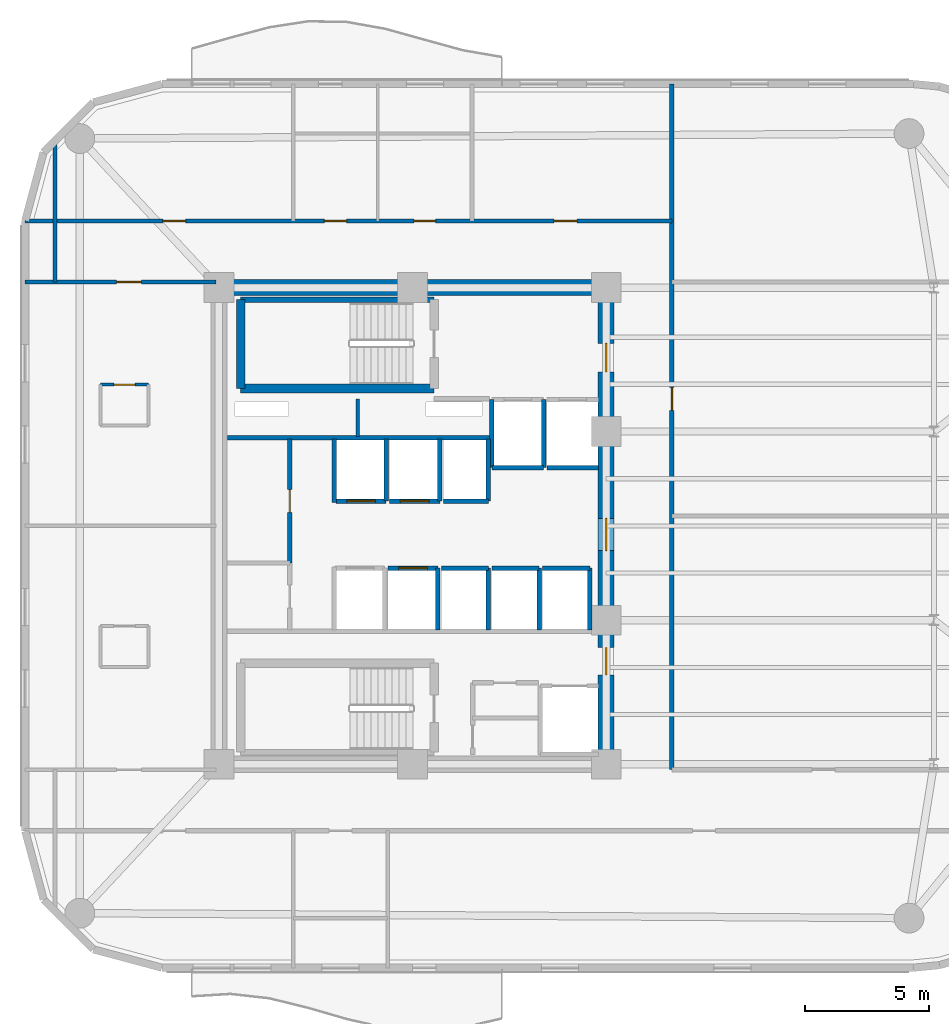
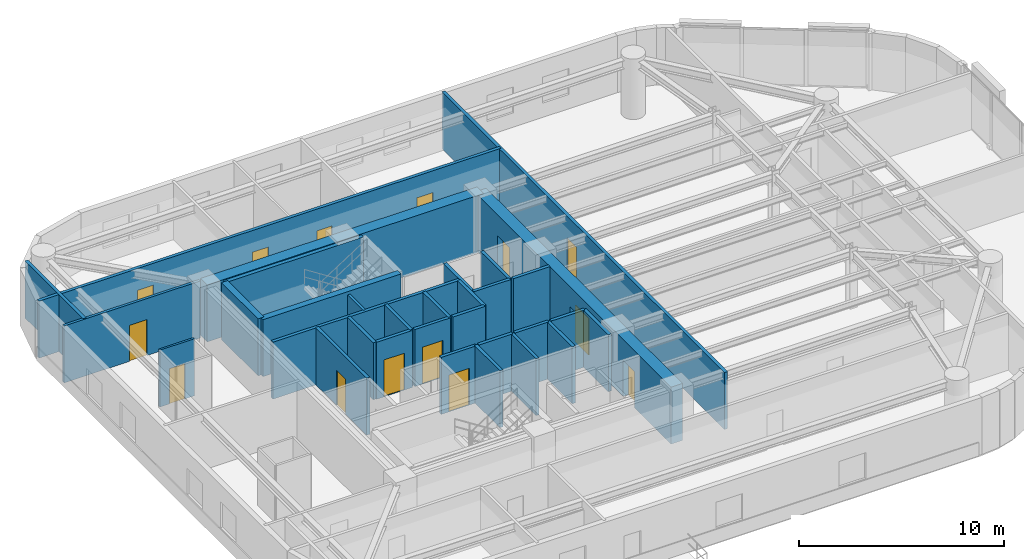
# One storey, part 11 of 15: 32 walls, 14 doors, 14 openings.
"""IFC4 building model written with IfcOpenShell, lengths in metres."""

from ifc_helpers import new_model, si_unit, direction, frame, frame_2d, origin, place, context, subcontext, project, spatial, rectangle, extrude, material, layer, layer_set, type_object, element, fill, save


model = new_model("IFC4")

# Units and contexts
model_context = context("Model", 3, precision=1e-05, world=origin(), true_north=direction((0.0, 1.0)))
body_context = subcontext(model_context, "Body", "Model", "MODEL_VIEW")
ifc_project = project(units=[si_unit("LENGTHUNIT", "METRE"), si_unit("AREAUNIT", "SQUARE_METRE"), si_unit("VOLUMEUNIT", "CUBIC_METRE"), si_unit("PLANEANGLEUNIT", "RADIAN"), si_unit("MASSUNIT", "GRAM", prefix="KILO")], contexts=[model_context])

# Site, building, storey
site_placement = place(None, origin())
site = spatial("IfcSite", under=ifc_project, at=site_placement, CompositionType="ELEMENT")
building_placement = place(site_placement, origin())
building = spatial("IfcBuilding", under=site, at=building_placement, Name="An Khanh Terracotta Commons", CompositionType="ELEMENT")
storey_placement = place(building_placement, frame((0.0, 0.0, 169.0)))
storey = spatial("IfcBuildingStorey", under=building, at=storey_placement, Name="L44", CompositionType="ELEMENT", Elevation=169.0)

# Wall
ifc_material_1 = material(Name="Concrete C60/75", Category="concrete")
ifc_layer_1 = layer(ifc_material_1, 0.64990234375, Name="Concrete C60/75")
ifc_layer_set_1 = layer_set([ifc_layer_1], Name="Concrete C60/75")
wall_type_1 = type_object("IfcWallType", Name="WALL-CORE-650", PredefinedType="SHEAR", material=ifc_layer_set_1)
wall_1_placement = place(storey_placement, frame((21.60009765625, 33.60009765625, 0.0), z_axis=(0.0, 0.0, 1.0), x_axis=(1.0, 0.0, 0.0)))
element("IfcWall", 1, at=wall_1_placement, inside=storey, type_object=wall_type_1, Name="L44 Core Wall CWALL-L44-N", PredefinedType="SHEAR", context=body_context, shape_type="SweptSolid", body=[
    extrude(rectangle(XDim=15.599853515625, YDim=0.64990234375, at=frame_2d((7.7998046875, 0.0))), origin(), (0.0, 0.0, 1.0), 3.39990234375),
])

# Wall, openings, doors
wall_2_placement = place(storey_placement, frame((37.199951171875, 14.39990234375, 0.0), z_axis=(0.0, 0.0, 1.0), x_axis=(0.0, 1.0, 0.0)))
wall_2 = element("IfcWall", 2, at=wall_2_placement, inside=storey, type_object=wall_type_1, Name="L44 Core Wall CWALL-L44-E", PredefinedType="SHEAR", context=body_context, shape_type="SweptSolid", body=[
    extrude(rectangle(XDim=19.2001953125, YDim=0.64990234375, at=frame_2d((9.60009765625, 0.0))), origin(), (0.0, 0.0, 1.0), 3.39990234375),
])
opening_1_placement = place(wall_2_placement, frame((15.800048828125, 0.0, 0.0)))
opening_1 = element("IfcOpeningElement", 3, at=opening_1_placement, cuts=wall_2, Name="Opening D-FFL", PredefinedType="OPENING", context=body_context, shape_type="SweptSolid", body=[
    extrude(rectangle(XDim=1.14990234375, YDim=2.14990234375, at=frame_2d((0.574951171875, 1.074951171875))), frame((0.0, 0.3349609375, 0.0), z_axis=(0.0, -1.0, 0.0), x_axis=(1.0, 0.0, 0.0)), (0.0, 0.0, 1.0), 0.669921875),
])
opening_2_placement = place(wall_2_placement, frame((3.60009765625, 0.0, 0.0)))
opening_2 = element("IfcOpeningElement", 4, at=opening_2_placement, cuts=wall_2, Name="Opening D-ST", PredefinedType="OPENING", context=body_context, shape_type="SweptSolid", body=[
    extrude(rectangle(XDim=1.10009765625, YDim=2.14990234375, at=frame_2d((0.550048828125, 1.074951171875))), frame((0.0, 0.3349609375, 0.0), z_axis=(0.0, -1.0, 0.0), x_axis=(1.0, 0.0, 0.0)), (0.0, 0.0, 1.0), 0.669921875),
])
opening_3_placement = place(wall_2_placement, frame((8.60009765625, 0.0, 0.0)))
opening_3 = element("IfcOpeningElement", 5, at=opening_3_placement, cuts=wall_2, Name="Opening D-COR", PredefinedType="OPENING", context=body_context, shape_type="SweptSolid", body=[
    extrude(rectangle(XDim=1.300048828125, YDim=2.199951171875, at=frame_2d((0.64990234375, 1.10009765625))), frame((0.0, 0.3349609375, 0.0), z_axis=(0.0, -1.0, 0.0), x_axis=(1.0, 0.0, 0.0)), (0.0, 0.0, 1.0), 0.669921875),
])
ifc_material_2 = material(Name="Fire-Rated Glazed Steel Double Door", Category="steel")
door_type_1 = type_object("IfcDoorType", Name="DOOR-CORR-1300", OperationType="NOTDEFINED", PredefinedType="DOOR", material=ifc_material_2)
door_1_placement = place(opening_3_placement, origin())
door_1 = element("IfcDoor", 6, at=door_1_placement, inside=storey, type_object=door_type_1, Name="L44 Passenger Lift Lobby Double Door", OperationType="DOUBLE_DOOR_SINGLE_SWING", OverallHeight=2.199951171875, OverallWidth=1.300048828125, PredefinedType="DOOR", context=body_context, shape_type="SweptSolid", body=[
    extrude(rectangle(XDim=1.300048828125, YDim=2.199951171875, at=frame_2d((0.64990234375, 1.10009765625))), frame((0.0, 0.02490234375, 0.0), z_axis=(0.0, -1.0, 0.0), x_axis=(1.0, 0.0, 0.0)), (0.0, 0.0, 1.0), 0.050048828125),
])
fill(opening_3, door_1)
ifc_material_3 = material(Name="Fire-Rated Steel Leaf and Vision Panel", Category="steel")
door_type_2 = type_object("IfcDoorType", Name="DOOR-FFL-1150", OperationType="NOTDEFINED", PredefinedType="DOOR", material=ifc_material_3)
door_2_placement = place(opening_1_placement, origin())
door_2 = element("IfcDoor", 7, at=door_2_placement, inside=storey, type_object=door_type_2, Name="L44 Firefighting Lift Lobby Fire Door", OperationType="SINGLE_SWING_LEFT", OverallHeight=2.14990234375, OverallWidth=1.14990234375, PredefinedType="DOOR", context=body_context, shape_type="SweptSolid", body=[
    extrude(rectangle(XDim=1.14990234375, YDim=2.14990234375, at=frame_2d((0.574951171875, 1.074951171875))), frame((0.0, 0.02490234375, 0.0), z_axis=(0.0, -1.0, 0.0), x_axis=(1.0, 0.0, 0.0)), (0.0, 0.0, 1.0), 0.050048828125),
])
fill(opening_1, door_2)
ifc_material_4 = material(Name="Fire-Rated Steel Leaf and Frame", Category="steel")
door_type_3 = type_object("IfcDoorType", Name="DOOR-STAIR-1100", OperationType="NOTDEFINED", PredefinedType="DOOR", material=ifc_material_4)
door_3_placement = place(opening_2_placement, origin())
door_3 = element("IfcDoor", 8, at=door_3_placement, inside=storey, type_object=door_type_3, Name="L44 South Stair Lobby Fire Door", OperationType="SINGLE_SWING_RIGHT", OverallHeight=2.14990234375, OverallWidth=1.10009765625, PredefinedType="DOOR", context=body_context, shape_type="SweptSolid", body=[
    extrude(rectangle(XDim=1.10009765625, YDim=2.14990234375, at=frame_2d((0.550048828125, 1.074951171875))), frame((0.0, 0.02490234375, 0.0), z_axis=(0.0, -1.0, 0.0), x_axis=(1.0, 0.0, 0.0)), (0.0, 0.0, 1.0), 0.050048828125),
])
fill(opening_2, door_3)

# Walls
ifc_material_5 = material(Name="Fire-Rated Gypsum Board on Steel Stud", Category="steel")
ifc_layer_2 = layer(ifc_material_5, 0.179931640625, Name="Fire-Rated Gypsum Board on Steel Stud")
ifc_layer_set_2 = layer_set([ifc_layer_2], Name="Fire-Rated Gypsum Board on Steel Stud")
wall_type_2 = type_object("IfcWallType", Name="WALL-CORR-180", PredefinedType="PARTITIONING", material=ifc_layer_set_2)
wall_3_placement = place(storey_placement, frame((21.949951171875, 27.5400390625, 0.0), z_axis=(0.0, 0.0, 1.0), x_axis=(1.0, 0.0, 0.0)))
element("IfcWall", 9, at=wall_3_placement, inside=storey, type_object=wall_type_2, Name="L44 Core Wall RSRW-L44-S", PredefinedType="PARTITIONING", context=body_context, shape_type="SweptSolid", body=[
    extrude(rectangle(XDim=10.56005859375, YDim=0.179931640625, at=frame_2d((5.280029296875, 0.0))), origin(), (0.0, 0.0, 1.0), 3.39990234375),
])
wall_4_placement = place(storey_placement, frame((34.679931640625, 26.35009765625, 0.0), z_axis=(0.0, 0.0, 1.0), x_axis=(-1.0, 0.0, 0.0)))
element("IfcWall", 10, at=wall_4_placement, inside=storey, type_object=wall_type_2, Name="L44 Core Wall LSH-L44-FFL-01-S", PredefinedType="PARTITIONING", context=body_context, shape_type="SweptSolid", body=[
    extrude(rectangle(XDim=2.079833984375, YDim=0.179931640625, at=frame_2d((1.0400390625, 0.0))), origin(), (0.0, 0.0, 1.0), 3.39990234375),
])
for number, where, z_axis, x_axis, name in (
    (11, (34.679931640625, 26.35009765625, 0.0), (0.0, 0.0, 1.0), (0.0, 1.0, 0.0), "L44 Core Wall LSH-L44-FFL-01-E"),
    (12, (32.60009765625, 29.080078125, 0.0), (0.0, 0.0, 1.0), (0.0, -1.0, 0.0), "L44 Core Wall LSH-L44-FFL-01-W"),
):
    element("IfcWall", number, at=place(storey_placement, frame(where, z_axis=z_axis, x_axis=x_axis)), inside=storey, type_object=wall_type_2, Name=name, PredefinedType="PARTITIONING", context=body_context, shape_type="SweptSolid", body=[
        extrude(rectangle(XDim=2.72998046875, YDim=0.179931640625, at=frame_2d((1.364990234375, 0.0))), origin(), (0.0, 0.0, 1.0), 3.39990234375),
    ])
wall_5_placement = place(storey_placement, frame((36.89990234375, 26.35009765625, 0.0), z_axis=(0.0, 0.0, 1.0), x_axis=(-1.0, 0.0, 0.0)))
element("IfcWall", 13, at=wall_5_placement, inside=storey, type_object=wall_type_2, Name="L44 Core Wall LSH-L44-FFL-02-S", PredefinedType="PARTITIONING", context=body_context, shape_type="SweptSolid", body=[
    extrude(rectangle(XDim=2.079833984375, YDim=0.179931640625, at=frame_2d((1.0400390625, 0.0))), origin(), (0.0, 0.0, 1.0), 3.39990234375),
])

# Wall, opening, door
wall_6_placement = place(storey_placement, frame((28.340087890625, 25.0, 0.0), z_axis=(0.0, 0.0, 1.0), x_axis=(-1.0, 0.0, 0.0)))
wall_6 = element("IfcWall", 14, at=wall_6_placement, inside=storey, type_object=wall_type_2, Name="L44 Core Wall LSH-L44-PL-M1-S", PredefinedType="PARTITIONING", context=body_context, shape_type="SweptSolid", body=[
    extrude(rectangle(XDim=2.02001953125, YDim=0.179931640625, at=frame_2d((1.010009765625, 0.0))), origin(), (0.0, 0.0, 1.0), 3.39990234375),
])
opening_4_placement = place(wall_6_placement, frame((0.43505859375, 0.0, 0.0)))
opening_4 = element("IfcOpeningElement", 15, at=opening_4_placement, cuts=wall_6, Name="Opening LD-PL-M1-L44", PredefinedType="OPENING", context=body_context, shape_type="SweptSolid", body=[
    extrude(rectangle(XDim=1.14990234375, YDim=2.199951171875, at=frame_2d((0.574951171875, 1.10009765625))), frame((0.0, 0.099853515625, 0.0), z_axis=(0.0, -1.0, 0.0), x_axis=(1.0, 0.0, 0.0)), (0.0, 0.0, 1.0), 0.199951171875),
])
ifc_material_6 = material(Name="Brushed Stainless Steel Passenger Landing Door", Category="steel")
door_type_4 = type_object("IfcDoorType", Name="DOOR-LD-PAX-1150", OperationType="NOTDEFINED", PredefinedType="DOOR", material=ifc_material_6)
door_4_placement = place(opening_4_placement, origin())
door_4 = element("IfcDoor", 16, at=door_4_placement, inside=storey, type_object=door_type_4, Name="L44 Lift PL-M1 Sliding Landing Door", OperationType="DOUBLE_DOOR_SLIDING", OverallHeight=2.199951171875, OverallWidth=1.14990234375, PredefinedType="DOOR", context=body_context, shape_type="SweptSolid", body=[
    extrude(rectangle(XDim=1.14990234375, YDim=2.199951171875, at=frame_2d((0.574951171875, 1.10009765625))), frame((0.0, 0.02490234375, 0.0), z_axis=(0.0, -1.0, 0.0), x_axis=(1.0, 0.0, 0.0)), (0.0, 0.0, 1.0), 0.050048828125),
])
fill(opening_4, door_4)

# Wall
wall_7_placement = place(storey_placement, frame((28.340087890625, 25.0, 0.0), z_axis=(0.0, 0.0, 1.0), x_axis=(0.0, 1.0, 0.0)))
element("IfcWall", 17, at=wall_7_placement, inside=storey, type_object=wall_type_2, Name="L44 Core Wall LSH-L44-PL-M1-E", PredefinedType="PARTITIONING", context=body_context, shape_type="SweptSolid", body=[
    extrude(rectangle(XDim=2.5, YDim=0.179931640625, at=frame_2d((1.25, 0.0))), origin(), (0.0, 0.0, 1.0), 3.39990234375),
])

# Wall, opening, door
wall_8_placement = place(storey_placement, frame((30.5, 25.0, 0.0), z_axis=(0.0, 0.0, 1.0), x_axis=(-1.0, 0.0, 0.0)))
wall_8 = element("IfcWall", 18, at=wall_8_placement, inside=storey, type_object=wall_type_2, Name="L44 Core Wall LSH-L44-PL-M2-S", PredefinedType="PARTITIONING", context=body_context, shape_type="SweptSolid", body=[
    extrude(rectangle(XDim=2.02001953125, YDim=0.179931640625, at=frame_2d((1.010009765625, 0.0))), origin(), (0.0, 0.0, 1.0), 3.39990234375),
])
opening_5_placement = place(wall_8_placement, frame((0.43505859375, 0.0, 0.0)))
opening_5 = element("IfcOpeningElement", 19, at=opening_5_placement, cuts=wall_8, Name="Opening LD-PL-M2-L44", PredefinedType="OPENING", context=body_context, shape_type="SweptSolid", body=[
    extrude(rectangle(XDim=1.14990234375, YDim=2.199951171875, at=frame_2d((0.574951171875, 1.10009765625))), frame((0.0, 0.099853515625, 0.0), z_axis=(0.0, -1.0, 0.0), x_axis=(1.0, 0.0, 0.0)), (0.0, 0.0, 1.0), 0.199951171875),
])
door_5_placement = place(opening_5_placement, origin())
door_5 = element("IfcDoor", 20, at=door_5_placement, inside=storey, type_object=door_type_4, Name="L44 Lift PL-M2 Sliding Landing Door", OperationType="DOUBLE_DOOR_SLIDING", OverallHeight=2.199951171875, OverallWidth=1.14990234375, PredefinedType="DOOR", context=body_context, shape_type="SweptSolid", body=[
    extrude(rectangle(XDim=1.14990234375, YDim=2.199951171875, at=frame_2d((0.574951171875, 1.10009765625))), frame((0.0, 0.02490234375, 0.0), z_axis=(0.0, -1.0, 0.0), x_axis=(1.0, 0.0, 0.0)), (0.0, 0.0, 1.0), 0.050048828125),
])
fill(opening_5, door_5)

# Wall
wall_9_placement = place(storey_placement, frame((30.5, 25.0, 0.0), z_axis=(0.0, 0.0, 1.0), x_axis=(0.0, 1.0, 0.0)))
element("IfcWall", 21, at=wall_9_placement, inside=storey, type_object=wall_type_2, Name="L44 Core Wall LSH-L44-PL-M2-E", PredefinedType="PARTITIONING", context=body_context, shape_type="SweptSolid", body=[
    extrude(rectangle(XDim=2.5, YDim=0.179931640625, at=frame_2d((1.25, 0.0))), origin(), (0.0, 0.0, 1.0), 3.39990234375),
])

# Wall, opening, door
wall_10_placement = place(storey_placement, frame((28.419921875, 22.300048828125, 0.0), z_axis=(0.0, 0.0, 1.0), x_axis=(1.0, 0.0, 0.0)))
wall_10 = element("IfcWall", 22, at=wall_10_placement, inside=storey, type_object=wall_type_2, Name="L44 Core Wall LSH-L44-PL-M4-N", PredefinedType="PARTITIONING", context=body_context, shape_type="SweptSolid", body=[
    extrude(rectangle(XDim=2.0, YDim=0.179931640625, at=frame_2d((1.0, 0.0))), origin(), (0.0, 0.0, 1.0), 3.39990234375),
])
opening_6_placement = place(wall_10_placement, frame((0.425048828125, 0.0, 0.0)))
opening_6 = element("IfcOpeningElement", 23, at=opening_6_placement, cuts=wall_10, Name="Opening LD-PL-M4-L44", PredefinedType="OPENING", context=body_context, shape_type="SweptSolid", body=[
    extrude(rectangle(XDim=1.14990234375, YDim=2.199951171875, at=frame_2d((0.574951171875, 1.10009765625))), frame((0.0, 0.099853515625, 0.0), z_axis=(0.0, -1.0, 0.0), x_axis=(1.0, 0.0, 0.0)), (0.0, 0.0, 1.0), 0.199951171875),
])
door_6_placement = place(opening_6_placement, origin())
door_6 = element("IfcDoor", 24, at=door_6_placement, inside=storey, type_object=door_type_4, Name="L44 Lift PL-M4 Sliding Landing Door", OperationType="DOUBLE_DOOR_SLIDING", OverallHeight=2.199951171875, OverallWidth=1.14990234375, PredefinedType="DOOR", context=body_context, shape_type="SweptSolid", body=[
    extrude(rectangle(XDim=1.14990234375, YDim=2.199951171875, at=frame_2d((0.574951171875, 1.10009765625))), frame((0.0, 0.02490234375, 0.0), z_axis=(0.0, -1.0, 0.0), x_axis=(1.0, 0.0, 0.0)), (0.0, 0.0, 1.0), 0.050048828125),
])
fill(opening_6, door_6)

# Walls
wall_11_placement = place(storey_placement, frame((30.419921875, 19.800048828125, 0.0), z_axis=(0.0, 0.0, 1.0), x_axis=(0.0, 1.0, 0.0)))
element("IfcWall", 25, at=wall_11_placement, inside=storey, type_object=wall_type_2, Name="L44 Core Wall LSH-L44-PL-M4-E", PredefinedType="PARTITIONING", context=body_context, shape_type="SweptSolid", body=[
    extrude(rectangle(XDim=2.5, YDim=0.179931640625, at=frame_2d((1.25, 0.0))), origin(), (0.0, 0.0, 1.0), 3.39990234375),
])
wall_12_placement = place(storey_placement, frame((32.4599609375, 25.0, 0.0), z_axis=(0.0, 0.0, 1.0), x_axis=(-1.0, 0.0, 0.0)))
element("IfcWall", 26, at=wall_12_placement, inside=storey, type_object=wall_type_2, Name="L44 Core Wall LSH-L44-PL-H1-S", PredefinedType="PARTITIONING", context=body_context, shape_type="SweptSolid", body=[
    extrude(rectangle(XDim=1.820068359375, YDim=0.179931640625, at=frame_2d((0.91015625, 0.0))), origin(), (0.0, 0.0, 1.0), 3.39990234375),
])
wall_13_placement = place(storey_placement, frame((32.4599609375, 25.0, 0.0), z_axis=(0.0, 0.0, 1.0), x_axis=(0.0, 1.0, 0.0)))
element("IfcWall", 27, at=wall_13_placement, inside=storey, type_object=wall_type_2, Name="L44 Core Wall LSH-L44-PL-H1-E", PredefinedType="PARTITIONING", context=body_context, shape_type="SweptSolid", body=[
    extrude(rectangle(XDim=2.5, YDim=0.179931640625, at=frame_2d((1.25, 0.0))), origin(), (0.0, 0.0, 1.0), 3.39990234375),
])
wall_14_placement = place(storey_placement, frame((30.56005859375, 22.300048828125, 0.0), z_axis=(0.0, 0.0, 1.0), x_axis=(1.0, 0.0, 0.0)))
element("IfcWall", 28, at=wall_14_placement, inside=storey, type_object=wall_type_2, Name="L44 Core Wall LSH-L44-PL-H2-N", PredefinedType="PARTITIONING", context=body_context, shape_type="SweptSolid", body=[
    extrude(rectangle(XDim=1.89990234375, YDim=0.179931640625, at=frame_2d((0.949951171875, 0.0))), origin(), (0.0, 0.0, 1.0), 3.39990234375),
])
wall_15_placement = place(storey_placement, frame((32.4599609375, 19.800048828125, 0.0), z_axis=(0.0, 0.0, 1.0), x_axis=(0.0, 1.0, 0.0)))
element("IfcWall", 29, at=wall_15_placement, inside=storey, type_object=wall_type_2, Name="L44 Core Wall LSH-L44-PL-H2-E", PredefinedType="PARTITIONING", context=body_context, shape_type="SweptSolid", body=[
    extrude(rectangle(XDim=2.5, YDim=0.179931640625, at=frame_2d((1.25, 0.0))), origin(), (0.0, 0.0, 1.0), 3.39990234375),
])
wall_16_placement = place(storey_placement, frame((32.60009765625, 22.300048828125, 0.0), z_axis=(0.0, 0.0, 1.0), x_axis=(1.0, 0.0, 0.0)))
element("IfcWall", 30, at=wall_16_placement, inside=storey, type_object=wall_type_2, Name="L44 Core Wall LSH-L44-PL-H3-N", PredefinedType="PARTITIONING", context=body_context, shape_type="SweptSolid", body=[
    extrude(rectangle(XDim=1.89990234375, YDim=0.179931640625, at=frame_2d((0.949951171875, 0.0))), origin(), (0.0, 0.0, 1.0), 3.39990234375),
])
wall_17_placement = place(storey_placement, frame((34.5, 19.800048828125, 0.0), z_axis=(0.0, 0.0, 1.0), x_axis=(0.0, 1.0, 0.0)))
element("IfcWall", 31, at=wall_17_placement, inside=storey, type_object=wall_type_2, Name="L44 Core Wall LSH-L44-PL-H3-E", PredefinedType="PARTITIONING", context=body_context, shape_type="SweptSolid", body=[
    extrude(rectangle(XDim=2.5, YDim=0.179931640625, at=frame_2d((1.25, 0.0))), origin(), (0.0, 0.0, 1.0), 3.39990234375),
])
wall_18_placement = place(storey_placement, frame((34.639892578125, 22.300048828125, 0.0), z_axis=(0.0, 0.0, 1.0), x_axis=(1.0, 0.0, 0.0)))
element("IfcWall", 32, at=wall_18_placement, inside=storey, type_object=wall_type_2, Name="L44 Core Wall LSH-L44-PL-H4-N", PredefinedType="PARTITIONING", context=body_context, shape_type="SweptSolid", body=[
    extrude(rectangle(XDim=1.900146484375, YDim=0.179931640625, at=frame_2d((0.9501953125, 0.0))), origin(), (0.0, 0.0, 1.0), 3.39990234375),
])
wall_19_placement = place(storey_placement, frame((36.5400390625, 19.800048828125, 0.0), z_axis=(0.0, 0.0, 1.0), x_axis=(0.0, 1.0, 0.0)))
element("IfcWall", 33, at=wall_19_placement, inside=storey, type_object=wall_type_2, Name="L44 Core Wall LSH-L44-PL-H4-E", PredefinedType="PARTITIONING", context=body_context, shape_type="SweptSolid", body=[
    extrude(rectangle(XDim=2.5, YDim=0.179931640625, at=frame_2d((1.25, 0.0))), origin(), (0.0, 0.0, 1.0), 3.39990234375),
])

# Wall, opening, door
wall_20_placement = place(storey_placement, frame((24.4599609375, 22.5, 0.0), z_axis=(0.0, 0.0, 1.0), x_axis=(0.0, 1.0, 0.0)))
wall_20 = element("IfcWall", 34, at=wall_20_placement, inside=storey, type_object=wall_type_2, Name="L44 Core Wall RECW-L44-E1", PredefinedType="PARTITIONING", context=body_context, shape_type="SweptSolid", body=[
    extrude(rectangle(XDim=5.0, YDim=0.179931640625, at=frame_2d((2.5, 0.0))), origin(), (0.0, 0.0, 1.0), 3.39990234375),
])
opening_7_placement = place(wall_20_placement, frame((2.0400390625, 0.0, 0.0)))
opening_7 = element("IfcOpeningElement", 35, at=opening_7_placement, cuts=wall_20, Name="Opening D-RM", PredefinedType="OPENING", context=body_context, shape_type="SweptSolid", body=[
    extrude(rectangle(XDim=0.919921875, YDim=2.10009765625, at=frame_2d((0.4599609375, 1.050048828125))), frame((0.0, 0.099853515625, 0.0), z_axis=(0.0, -1.0, 0.0), x_axis=(1.0, 0.0, 0.0)), (0.0, 0.0, 1.0), 0.199951171875),
])
ifc_material_7 = material(Name="Engineered Hardwood Timber Leaf", Category="wood")
door_type_5 = type_object("IfcDoorType", Name="DOOR-INT-920", OperationType="NOTDEFINED", PredefinedType="DOOR", material=ifc_material_7)
door_7_placement = place(opening_7_placement, origin())
door_7 = element("IfcDoor", 36, at=door_7_placement, inside=storey, type_object=door_type_5, Name="L44 Resident Study Pod Door", OperationType="SINGLE_SWING_LEFT", OverallHeight=2.10009765625, OverallWidth=0.919921875, PredefinedType="DOOR", context=body_context, shape_type="SweptSolid", body=[
    extrude(rectangle(XDim=0.919921875, YDim=2.10009765625, at=frame_2d((0.4599609375, 1.050048828125))), frame((0.0, 0.02490234375, 0.0), z_axis=(0.0, -1.0, 0.0), x_axis=(1.0, 0.0, 0.0)), (0.0, 0.0, 1.0), 0.050048828125),
])
fill(opening_7, door_7)

# Wall
wall_21_placement = place(storey_placement, frame((26.25, 24.949951171875, 0.0), z_axis=(0.0, 0.0, 1.0), x_axis=(0.0, 1.0, 0.0)))
element("IfcWall", 37, at=wall_21_placement, inside=storey, type_object=wall_type_2, Name="L44 Core Wall RECW-L44-BE1", PredefinedType="PARTITIONING", context=body_context, shape_type="SweptSolid", body=[
    extrude(rectangle(XDim=2.550048828125, YDim=0.179931640625, at=frame_2d((1.27490234375, 0.0))), origin(), (0.0, 0.0, 1.0), 3.39990234375),
])

# Wall, openings, doors
wall_22_placement = place(storey_placement, frame((13.800048828125, 36.280029296875, 0.0), z_axis=(0.0, 0.0, 1.0), x_axis=(1.0, 0.0, 0.0)))
wall_22 = element("IfcWall", 38, at=wall_22_placement, inside=storey, type_object=wall_type_2, Name="L44 Interior Partition IW-L44-E011", PredefinedType="PARTITIONING", context=body_context, shape_type="SweptSolid", body=[
    extrude(rectangle(XDim=26.050048828125, YDim=0.179931640625, at=frame_2d((13.02490234375, 0.0))), origin(), (0.0, 0.0, 1.0), 3.39990234375),
])
opening_8_placement = place(wall_22_placement, frame((12.050048828125, 0.0, 0.0)))
opening_8 = element("IfcOpeningElement", 39, at=opening_8_placement, cuts=wall_22, Name="Opening D-WC", PredefinedType="OPENING", context=body_context, shape_type="SweptSolid", body=[
    extrude(rectangle(XDim=0.89990234375, YDim=2.10009765625, at=frame_2d((0.449951171875, 1.050048828125))), frame((0.0, 0.099853515625, 0.0), z_axis=(0.0, -1.0, 0.0), x_axis=(1.0, 0.0, 0.0)), (0.0, 0.0, 1.0), 0.199951171875),
])
opening_9_placement = place(wall_22_placement, frame((15.669921875, 0.0, 0.0)))
opening_9 = element("IfcOpeningElement", 40, at=opening_9_placement, cuts=wall_22, Name="Opening D-ENS", PredefinedType="OPENING", context=body_context, shape_type="SweptSolid", body=[
    extrude(rectangle(XDim=0.860107421875, YDim=2.10009765625, at=frame_2d((0.43017578125, 1.050048828125))), frame((0.0, 0.099853515625, 0.0), z_axis=(0.0, -1.0, 0.0), x_axis=(1.0, 0.0, 0.0)), (0.0, 0.0, 1.0), 0.199951171875),
])
opening_10_placement = place(wall_22_placement, frame((5.5400390625, 0.0, 0.0)))
opening_10 = element("IfcOpeningElement", 41, at=opening_10_placement, cuts=wall_22, Name="Opening D-RM", PredefinedType="OPENING", context=body_context, shape_type="SweptSolid", body=[
    extrude(rectangle(XDim=0.919921875, YDim=2.10009765625, at=frame_2d((0.4599609375, 1.050048828125))), frame((0.0, 0.099853515625, 0.0), z_axis=(0.0, -1.0, 0.0), x_axis=(1.0, 0.0, 0.0)), (0.0, 0.0, 1.0), 0.199951171875),
])
opening_11_placement = place(wall_22_placement, frame((21.304931640625, 0.0, 0.0)))
opening_11 = element("IfcOpeningElement", 42, at=opening_11_placement, cuts=wall_22, Name="Opening D-RM", PredefinedType="OPENING", context=body_context, shape_type="SweptSolid", body=[
    extrude(rectangle(XDim=0.919921875, YDim=2.10009765625, at=frame_2d((0.4599609375, 1.050048828125))), frame((0.0, 0.099853515625, 0.0), z_axis=(0.0, -1.0, 0.0), x_axis=(1.0, 0.0, 0.0)), (0.0, 0.0, 1.0), 0.199951171875),
])
ifc_material_8 = material(Name="Moisture-Resistant Hardwood Timber Leaf", Category="wood")
door_type_6 = type_object("IfcDoorType", Name="DOOR-BATH-860", OperationType="NOTDEFINED", PredefinedType="DOOR", material=ifc_material_8)
door_8_placement = place(opening_9_placement, origin())
door_8 = element("IfcDoor", 43, at=door_8_placement, inside=storey, type_object=door_type_6, Name="L44 SHW Resident Shared Shower and Washroom Door", OperationType="SINGLE_SWING_RIGHT", OverallHeight=2.10009765625, OverallWidth=0.860107421875, PredefinedType="DOOR", context=body_context, shape_type="SweptSolid", body=[
    extrude(rectangle(XDim=0.860107421875, YDim=2.10009765625, at=frame_2d((0.43017578125, 1.050048828125))), frame((0.0, 0.02490234375, 0.0), z_axis=(0.0, -1.0, 0.0), x_axis=(1.0, 0.0, 0.0)), (0.0, 0.0, 1.0), 0.050048828125),
])
fill(opening_9, door_8)
door_9_placement = place(opening_10_placement, origin())
door_9 = element("IfcDoor", 44, at=door_9_placement, inside=storey, type_object=door_type_5, Name="L44 NW1 Academic Seminar Room Door", OperationType="SINGLE_SWING_LEFT", OverallHeight=2.10009765625, OverallWidth=0.919921875, PredefinedType="DOOR", context=body_context, shape_type="SweptSolid", body=[
    extrude(rectangle(XDim=0.919921875, YDim=2.10009765625, at=frame_2d((0.4599609375, 1.050048828125))), frame((0.0, 0.02490234375, 0.0), z_axis=(0.0, -1.0, 0.0), x_axis=(1.0, 0.0, 0.0)), (0.0, 0.0, 1.0), 0.050048828125),
])
fill(opening_10, door_9)
door_10_placement = place(opening_11_placement, origin())
door_10 = element("IfcDoor", 45, at=door_10_placement, inside=storey, type_object=door_type_5, Name="L44 NWE Academic Seminar Room Door", OperationType="SINGLE_SWING_RIGHT", OverallHeight=2.10009765625, OverallWidth=0.919921875, PredefinedType="DOOR", context=body_context, shape_type="SweptSolid", body=[
    extrude(rectangle(XDim=0.919921875, YDim=2.10009765625, at=frame_2d((0.4599609375, 1.050048828125))), frame((0.0, 0.02490234375, 0.0), z_axis=(0.0, -1.0, 0.0), x_axis=(1.0, 0.0, 0.0)), (0.0, 0.0, 1.0), 0.050048828125),
])
fill(opening_11, door_10)
ifc_material_9 = material(Name="Laminate Moisture-Resistant Timber Leaf", Category="wood")
door_type_7 = type_object("IfcDoorType", Name="DOOR-WC-900", OperationType="NOTDEFINED", PredefinedType="DOOR", material=ifc_material_9)
door_11_placement = place(opening_8_placement, origin())
door_11 = element("IfcDoor", 46, at=door_11_placement, inside=storey, type_object=door_type_7, Name="L44 AWC Accessible WC Door", OperationType="SINGLE_SWING_LEFT", OverallHeight=2.10009765625, OverallWidth=0.89990234375, PredefinedType="DOOR", context=body_context, shape_type="SweptSolid", body=[
    extrude(rectangle(XDim=0.89990234375, YDim=2.10009765625, at=frame_2d((0.449951171875, 1.050048828125))), frame((0.0, 0.02490234375, 0.0), z_axis=(0.0, -1.0, 0.0), x_axis=(1.0, 0.0, 0.0)), (0.0, 0.0, 1.0), 0.050048828125),
])
fill(opening_8, door_11)

# Wall
wall_23_placement = place(storey_placement, frame((15.0, 33.820068359375, 0.0), z_axis=(0.0, 0.0, 1.0), x_axis=(0.0, 1.0, 0.0)))
element("IfcWall", 47, at=wall_23_placement, inside=storey, type_object=wall_type_2, Name="L44 Interior Partition IW-L44-E014", PredefinedType="PARTITIONING", context=body_context, shape_type="SweptSolid", body=[
    extrude(rectangle(XDim=5.69287109375, YDim=0.179931640625, at=frame_2d((2.846435546875, 0.0))), origin(), (0.0, 0.0, 1.0), 3.39990234375),
])

# Wall, opening, door
wall_24_placement = place(storey_placement, frame((39.85009765625, 14.179931640625, 0.0), z_axis=(0.0, 0.0, 1.0), x_axis=(0.0, 1.0, 0.0)))
wall_24 = element("IfcWall", 48, at=wall_24_placement, inside=storey, type_object=wall_type_2, Name="L44 Interior Partition IW-L44-E020", PredefinedType="PARTITIONING", context=body_context, shape_type="SweptSolid", body=[
    extrude(rectangle(XDim=27.6201171875, YDim=0.179931640625, at=frame_2d((13.81005859375, 0.0))), origin(), (0.0, 0.0, 1.0), 3.39990234375),
])
opening_12_placement = place(wall_24_placement, frame((14.469970703125, 0.0, 0.0)))
opening_12 = element("IfcOpeningElement", 49, at=opening_12_placement, cuts=wall_24, Name="Opening D-RM", PredefinedType="OPENING", context=body_context, shape_type="SweptSolid", body=[
    extrude(rectangle(XDim=0.919921875, YDim=2.10009765625, at=frame_2d((0.4599609375, 1.050048828125))), frame((0.0, 0.099853515625, 0.0), z_axis=(0.0, -1.0, 0.0), x_axis=(1.0, 0.0, 0.0)), (0.0, 0.0, 1.0), 0.199951171875),
])
door_12_placement = place(opening_12_placement, origin())
door_12 = element("IfcDoor", 50, at=door_12_placement, inside=storey, type_object=door_type_5, Name="L44 WSP2 Academic Seminar Room Door", OperationType="SINGLE_SWING_LEFT", OverallHeight=2.10009765625, OverallWidth=0.919921875, PredefinedType="DOOR", context=body_context, shape_type="SweptSolid", body=[
    extrude(rectangle(XDim=0.919921875, YDim=2.10009765625, at=frame_2d((0.4599609375, 1.050048828125))), frame((0.0, 0.02490234375, 0.0), z_axis=(0.0, -1.0, 0.0), x_axis=(1.0, 0.0, 0.0)), (0.0, 0.0, 1.0), 0.050048828125),
])
fill(opening_12, door_12)

# Wall
ifc_material_10 = material(Name="Acoustic Gypsum Board Partition")
ifc_layer_3 = layer(ifc_material_10, 0.14990234375, Name="Acoustic Gypsum Board Partition")
ifc_layer_set_3 = layer_set([ifc_layer_3], Name="Acoustic Gypsum Board Partition")
wall_type_3 = type_object("IfcWallType", Name="WALL-PART-150", PredefinedType="PARTITIONING", material=ifc_layer_set_3)
wall_25_placement = place(storey_placement, frame((27.199951171875, 27.60009765625, 0.0), z_axis=(0.0, 0.0, 1.0), x_axis=(0.0, 1.0, 0.0)))
element("IfcWall", 51, at=wall_25_placement, inside=storey, type_object=wall_type_3, Name="L44 Core Wall RSRW-L44-D1", PredefinedType="PARTITIONING", context=body_context, shape_type="SweptSolid", body=[
    extrude(rectangle(XDim=1.52001953125, YDim=0.14990234375, at=frame_2d((0.760009765625, 0.0))), origin(), (0.0, 0.0, 1.0), 3.39990234375),
])

# Wall, opening, door
wall_26_placement = place(storey_placement, frame((13.800048828125, 33.820068359375, 0.0), z_axis=(0.0, 0.0, 1.0), x_axis=(1.0, 0.0, 0.0)))
wall_26 = element("IfcWall", 52, at=wall_26_placement, inside=storey, type_object=wall_type_3, Name="L44 Interior Partition IW-L44-E009", PredefinedType="PARTITIONING", context=body_context, shape_type="SweptSolid", body=[
    extrude(rectangle(XDim=7.679931640625, YDim=0.14990234375, at=frame_2d((3.83984375, 0.0))), origin(), (0.0, 0.0, 1.0), 3.39990234375),
])
opening_13_placement = place(wall_26_placement, frame((3.679931640625, 0.0, 0.0)))
opening_13 = element("IfcOpeningElement", 53, at=opening_13_placement, cuts=wall_26, Name="Opening D-UN", PredefinedType="OPENING", context=body_context, shape_type="SweptSolid", body=[
    extrude(rectangle(XDim=1.0, YDim=2.14990234375, at=frame_2d((0.5, 1.074951171875))), frame((0.0, 0.0849609375, 0.0), z_axis=(0.0, -1.0, 0.0), x_axis=(1.0, 0.0, 0.0)), (0.0, 0.0, 1.0), 0.169921875),
])
ifc_material_11 = material(Name="Solid-Core Hardwood Acoustic Fire Door", Category="wood")
door_type_8 = type_object("IfcDoorType", Name="DOOR-UNIT-1000", OperationType="NOTDEFINED", PredefinedType="DOOR", material=ifc_material_11)
door_13_placement = place(opening_13_placement, origin())
door_13 = element("IfcDoor", 54, at=door_13_placement, inside=storey, type_object=door_type_8, Name="L44 WW2 Kitchenette and Studio Apartment Door", OperationType="SINGLE_SWING_RIGHT", OverallHeight=2.14990234375, OverallWidth=1.0, PredefinedType="DOOR", context=body_context, shape_type="SweptSolid", body=[
    extrude(rectangle(XDim=1.0, YDim=2.14990234375, at=frame_2d((0.5, 1.074951171875))), frame((0.0, 0.02490234375, 0.0), z_axis=(0.0, -1.0, 0.0), x_axis=(1.0, 0.0, 0.0)), (0.0, 0.0, 1.0), 0.050048828125),
])
fill(opening_13, door_13)

# Walls
ifc_material_12 = material(Name="Acoustic Double-Stud Gypsum and Mineral Wool")
ifc_layer_4 = layer(ifc_material_12, 0.219970703125, Name="Acoustic Double-Stud Gypsum and Mineral Wool")
ifc_layer_set_4 = layer_set([ifc_layer_4], Name="Acoustic Double-Stud Gypsum and Mineral Wool")
wall_type_4 = type_object("IfcWallType", Name="WALL-PARTY-220", PredefinedType="PARTITIONING", material=ifc_layer_set_4)
wall_27_placement = place(storey_placement, frame((22.47998046875, 33.110107421875, 0.0), z_axis=(0.0, 0.0, 1.0), x_axis=(1.0, 0.0, 0.0)))
element("IfcWall", 55, at=wall_27_placement, inside=storey, type_object=wall_type_4, Name="L44 Core Wall STW-L44-N-N", PredefinedType="PARTITIONING", context=body_context, shape_type="SweptSolid", body=[
    extrude(rectangle(XDim=7.7900390625, YDim=0.219970703125, at=frame_2d((3.89501953125, 0.0))), origin(), (0.0, 0.0, 1.0), 3.39990234375),
])
ifc_material_13 = material(Name="Concrete C50/60", Category="concrete")
ifc_layer_5 = layer(ifc_material_13, 0.35009765625, Name="Concrete C50/60")
ifc_layer_set_5 = layer_set([ifc_layer_5], Name="Concrete C50/60")
wall_type_5 = type_object("IfcWallType", Name="WALL-SHAFT-350", PredefinedType="SOLIDWALL", material=ifc_layer_set_5)
wall_28_placement = place(storey_placement, frame((22.47998046875, 29.530029296875, 0.0), z_axis=(0.0, 0.0, 1.0), x_axis=(1.0, 0.0, 0.0)))
element("IfcWall", 56, at=wall_28_placement, inside=storey, type_object=wall_type_5, Name="L44 Core Wall STW-L44-N-S", PredefinedType="SOLIDWALL", context=body_context, shape_type="SweptSolid", body=[
    extrude(rectangle(XDim=7.7900390625, YDim=0.35009765625, at=frame_2d((3.89501953125, 0.0))), origin(), (0.0, 0.0, 1.0), 3.39990234375),
])
wall_29_placement = place(storey_placement, frame((22.47998046875, 29.530029296875, 0.0), z_axis=(0.0, 0.0, 1.0), x_axis=(0.0, 1.0, 0.0)))
element("IfcWall", 57, at=wall_29_placement, inside=storey, type_object=wall_type_5, Name="L44 Core Wall STW-L44-N-W", PredefinedType="SOLIDWALL", context=body_context, shape_type="SweptSolid", body=[
    extrude(rectangle(XDim=3.580078125, YDim=0.35009765625, at=frame_2d((1.7900390625, 0.0))), origin(), (0.0, 0.0, 1.0), 3.39990234375),
])

# Wall, opening, door
ifc_material_14 = material(Name="Moisture-Resistant Cement Board Partition")
ifc_layer_6 = layer(ifc_material_14, 0.1201171875, Name="Moisture-Resistant Cement Board Partition")
ifc_layer_set_6 = layer_set([ifc_layer_6], Name="Moisture-Resistant Cement Board Partition")
wall_type_6 = type_object("IfcWallType", Name="WALL-WET-120", PredefinedType="PARTITIONING", material=ifc_layer_set_6)
wall_30_placement = place(storey_placement, frame((16.824951171875, 29.68505859375, 0.0), z_axis=(0.0, 0.0, 1.0), x_axis=(1.0, 0.0, 0.0)))
wall_30 = element("IfcWall", 58, at=wall_30_placement, inside=storey, type_object=wall_type_6, Name="L44 Interior Partition IW-L44-WW2-BN", PredefinedType="PARTITIONING", context=body_context, shape_type="SweptSolid", body=[
    extrude(rectangle(XDim=1.949951171875, YDim=0.1201171875, at=frame_2d((0.97509765625, 0.0))), origin(), (0.0, 0.0, 1.0), 3.39990234375),
])
opening_14_placement = place(wall_30_placement, frame((0.544921875, 0.0, 0.0)))
opening_14 = element("IfcOpeningElement", 59, at=opening_14_placement, cuts=wall_30, Name="Opening D-ENS", PredefinedType="OPENING", context=body_context, shape_type="SweptSolid", body=[
    extrude(rectangle(XDim=0.860107421875, YDim=2.10009765625, at=frame_2d((0.43017578125, 1.050048828125))), frame((0.0, 0.070068359375, 0.0), z_axis=(0.0, -1.0, 0.0), x_axis=(1.0, 0.0, 0.0)), (0.0, 0.0, 1.0), 0.14013671875),
])
door_14_placement = place(opening_14_placement, origin())
door_14 = element("IfcDoor", 60, at=door_14_placement, inside=storey, type_object=door_type_6, Name="L44 Studio WW2 En-suite Door", OperationType="SINGLE_SWING_RIGHT", OverallHeight=2.10009765625, OverallWidth=0.860107421875, PredefinedType="DOOR", context=body_context, shape_type="SweptSolid", body=[
    extrude(rectangle(XDim=0.860107421875, YDim=2.10009765625, at=frame_2d((0.43017578125, 1.050048828125))), frame((0.0, 0.02490234375, 0.0), z_axis=(0.0, -1.0, 0.0), x_axis=(1.0, 0.0, 0.0)), (0.0, 0.0, 1.0), 0.050048828125),
])
fill(opening_14, door_14)

save(model, "model.ifc")
